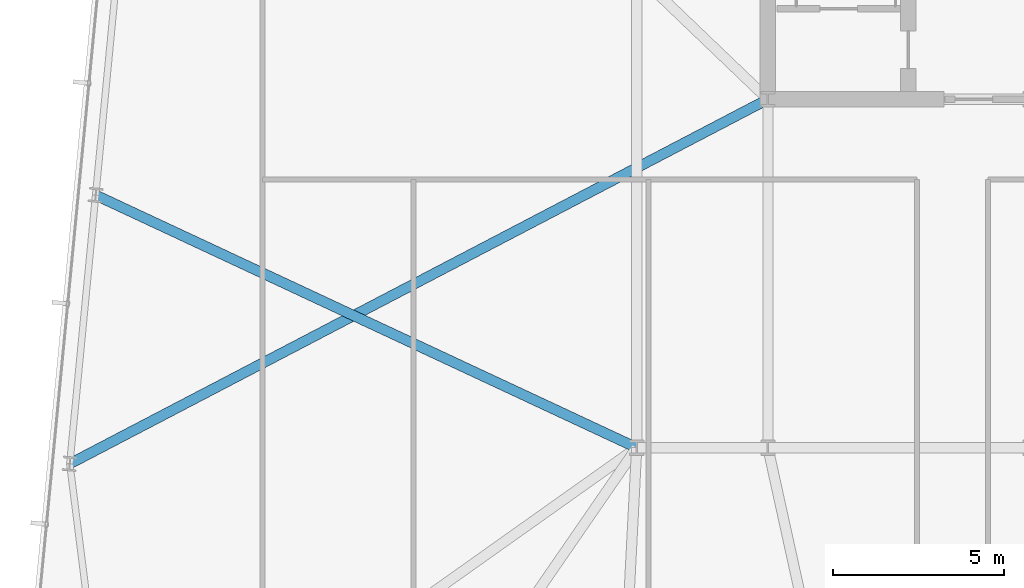
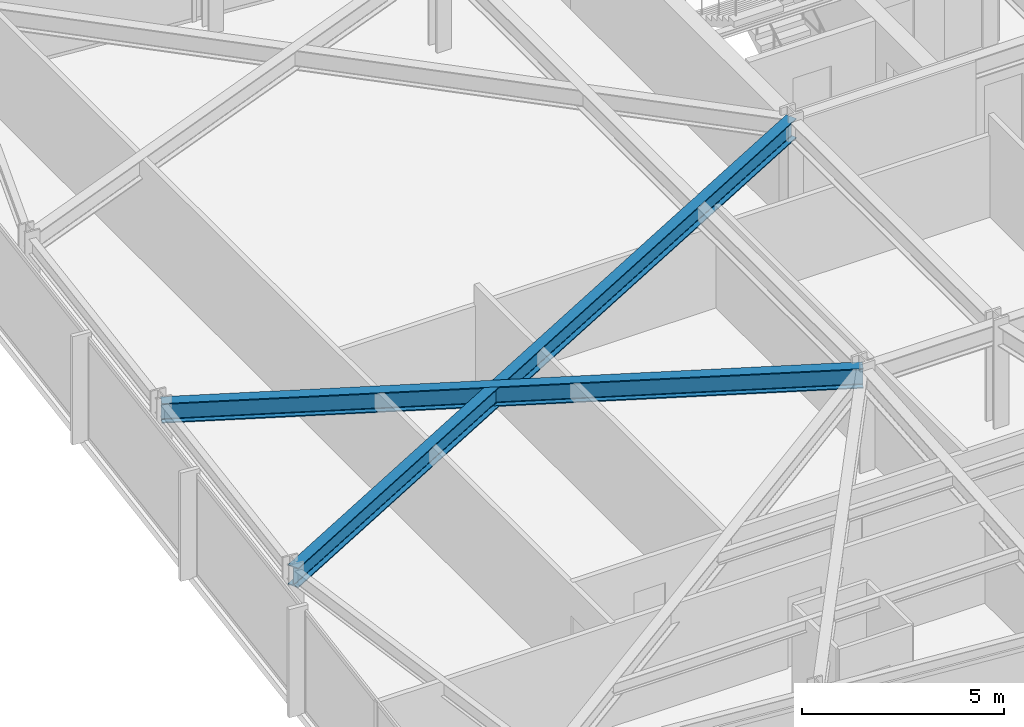
# One storey, part 9 of 36: 2 beams.
"""IFC4 building model written with IfcOpenShell, lengths in metres."""

from ifc_helpers import new_model, si_unit, direction, frame, origin, origin_2d, place, context, subcontext, project, spatial, i_section, extrude, material, material_profile, profile_set, type_object, element, save


model = new_model("IFC4")

# Units and contexts
model_context = context("Model", 3, precision=1e-05, world=origin(), true_north=direction((0.0, 1.0)))
body_context = subcontext(model_context, "Body", "Model", "MODEL_VIEW")
ifc_project = project(units=[si_unit("LENGTHUNIT", "METRE"), si_unit("AREAUNIT", "SQUARE_METRE"), si_unit("VOLUMEUNIT", "CUBIC_METRE"), si_unit("PLANEANGLEUNIT", "RADIAN"), si_unit("MASSUNIT", "GRAM", prefix="KILO")], contexts=[model_context])

# Site, building, storey
site_placement = place(None, origin())
site = spatial("IfcSite", under=ifc_project, at=site_placement, CompositionType="ELEMENT")
building_placement = place(site_placement, origin())
building = spatial("IfcBuilding", under=site, at=building_placement, Name="Yelkora Congress Tower", CompositionType="ELEMENT")
storey_placement = place(building_placement, frame((0.0, 0.0, 152.300048828125)))
storey = spatial("IfcBuildingStorey", under=building, at=storey_placement, Name="L41", CompositionType="ELEMENT", Elevation=152.300048828125)

# Beams
ifc_material = material(Name="Steel S355J2", Category="steel")
ifc_material_profile = material_profile(ifc_material, i_section(OverallWidth=0.300048828125, OverallDepth=0.60009765625, WebThickness=0.015380859375, FlangeThickness=0.030029296875, FilletRadius=0.027099609375, at=origin_2d()), Name="HEB 600")
ifc_profile_set = profile_set([ifc_material_profile], Name="Steel S355J2")
beam_type = type_object("IfcBeamType", Name="BM-GIRD-HEB600", PredefinedType="BEAM", material=ifc_profile_set)
beam_1_placement = place(storey_placement, frame((2.607421875, 24.730712890625, 2.780029296875), z_axis=(0.886430124978, 0.462862434781, 0.0), x_axis=(-0.462862434781, 0.886430124978, 0.0)))
element("IfcBeam", 1, at=beam_1_placement, inside=storey, type_object=beam_type, Name="L41 Primary Frame Girder W01", PredefinedType="BEAM", context=body_context, shape_type="SweptSolid", body=[
    extrude(i_section(OverallWidth=0.300048828125, OverallDepth=0.60009765625, WebThickness=0.015380859375, FlangeThickness=0.030029296875, FilletRadius=0.027099609375, at=origin_2d()), origin(), (0.0, 0.0, 1.0), 23.050537109375),
])
beam_2_placement = place(storey_placement, frame((3.364501953125, 32.594482421875, 2.780029296875), z_axis=(0.906081045456, -0.423104170466, 0.0), x_axis=(0.423104170466, 0.906081045456, 0.0)))
element("IfcBeam", 2, at=beam_2_placement, inside=storey, type_object=beam_type, Name="L41 Primary Frame Girder W02", PredefinedType="BEAM", context=body_context, shape_type="SweptSolid", body=[
    extrude(i_section(OverallWidth=0.300048828125, OverallDepth=0.60009765625, WebThickness=0.015380859375, FlangeThickness=0.030029296875, FilletRadius=0.027099609375, at=origin_2d()), origin(), (0.0, 0.0, 1.0), 17.476806640625),
])

save(model, "model.ifc")
